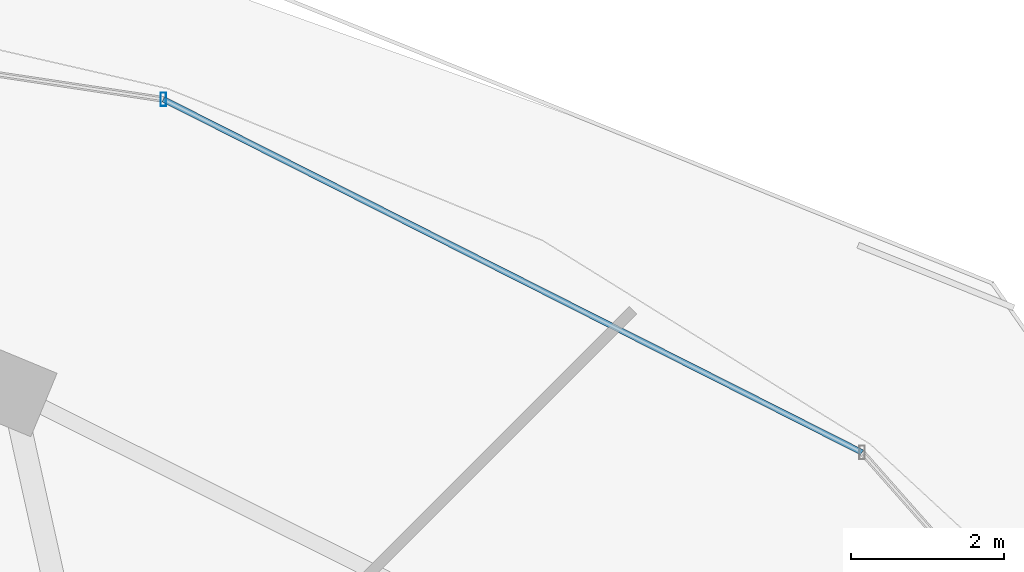
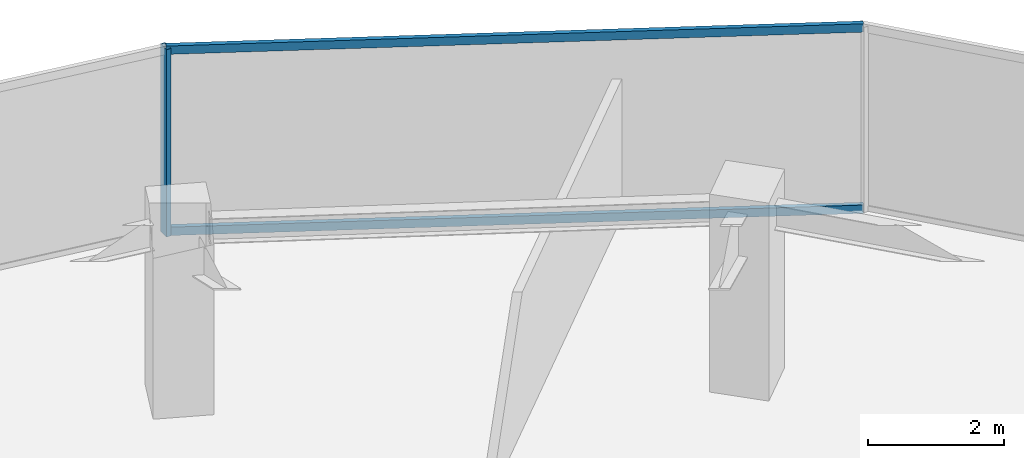
# One storey, part 21 of 33: 3 members, 1 element without a shape of its own.
"""IFC4 building model written with IfcOpenShell, lengths in metres."""

from ifc_helpers import new_model, si_unit, direction, frame, origin, origin_2d, place, context, subcontext, project, spatial, hollow_rectangle, extrude, material, material_profile, profile_set, type_object, element, aggregate, save


model = new_model("IFC4")

# Units and contexts
model_context = context("Model", 3, precision=1e-05, world=origin(), true_north=direction((0.0, 1.0)))
body_context = subcontext(model_context, "Body", "Model", "MODEL_VIEW")
ifc_project = project(units=[si_unit("LENGTHUNIT", "METRE"), si_unit("AREAUNIT", "SQUARE_METRE"), si_unit("VOLUMEUNIT", "CUBIC_METRE"), si_unit("PLANEANGLEUNIT", "RADIAN"), si_unit("MASSUNIT", "GRAM", prefix="KILO")], contexts=[model_context])

# Site, building, storey
site_placement = place(None, origin())
site = spatial("IfcSite", under=ifc_project, at=site_placement, CompositionType="ELEMENT")
building_placement = place(site_placement, origin())
building = spatial("IfcBuilding", under=site, at=building_placement, Name="Vorneva Point Tower", CompositionType="ELEMENT")
storey_placement = place(building_placement, frame((0.0, 0.0, 200.10009765625)))
storey = spatial("IfcBuildingStorey", under=building, at=storey_placement, Name="L54", CompositionType="ELEMENT", Elevation=200.10009765625)

# Curtain wall, members
ifc_material = material(Name="Pale anodised aluminium", Category="aluminium")
curtain_wall_type = type_object("IfcCurtainWallType", Name="CW-RES-SYS", PredefinedType="NOTDEFINED", material=ifc_material)
curtain_wall_placement = place(storey_placement, origin())
curtain_wall = element("IfcCurtainWall", 1, at=curtain_wall_placement, inside=storey, type_object=curtain_wall_type, Name="L54 Unitised Curtain Wall CW-L54-R01", PredefinedType="NOTDEFINED")
ifc_material_profile_1 = material_profile(ifc_material, hollow_rectangle(XDim=0.074951171875, YDim=0.179931640625, WallThickness=0.00390625, at=origin_2d()), Name="AL-MUL 180x75x4")
ifc_profile_set_1 = profile_set([ifc_material_profile_1], Name="Pale anodised aluminium")
member_type_1 = type_object("IfcMemberType", Name="CW-MUL-180", PredefinedType="MULLION", material=ifc_profile_set_1)
member_1_placement = place(storey_placement, frame((48.80322265625, 45.724853515625, -0.0400390625), z_axis=(0.0, 0.0, 1.0), x_axis=(1.0, 0.0, 0.0)))
member_1 = element("IfcMember", 2, at=member_1_placement, type_object=member_type_1, Name="CW-L54-R01 Mullion 03", PredefinedType="MULLION", context=body_context, shape_type="SweptSolid", body=[
    extrude(hollow_rectangle(XDim=0.074951171875, YDim=0.179931640625, WallThickness=0.00390625, at=origin_2d()), origin(), (0.0, 0.0, 1.0), 3.35986328125),
])
ifc_material_profile_2 = material_profile(ifc_material, hollow_rectangle(XDim=0.074951171875, YDim=0.14990234375, WallThickness=0.00390625, at=origin_2d()), Name="AL-TRN 150x75x4")
ifc_profile_set_2 = profile_set([ifc_material_profile_2], Name="Pale anodised aluminium")
member_type_2 = type_object("IfcMemberType", Name="CW-TRN-150", PredefinedType="USERDEFINED", material=ifc_profile_set_2)
member_2_placement = place(storey_placement, frame((57.961669921875, 41.0966796875, 0.02001953125), z_axis=(-0.892510927709, 0.451025768576, 0.0), x_axis=(-0.451025768576, -0.892510927709, 0.0)))
member_2 = element("IfcMember", 3, at=member_2_placement, type_object=member_type_2, Name="CW-L54-R01 Transom 02.1", ObjectType="TRANSOM", PredefinedType="USERDEFINED", context=body_context, shape_type="SweptSolid", body=[
    extrude(hollow_rectangle(XDim=0.074951171875, YDim=0.14990234375, WallThickness=0.00390625, at=origin_2d()), origin(), (0.0, 0.0, 1.0), 10.261474609375),
])
member_3_placement = place(storey_placement, frame((57.961669921875, 41.0966796875, 3.27001953125), z_axis=(-0.892510927709, 0.451025768576, 0.0), x_axis=(-0.451025768576, -0.892510927709, 0.0)))
member_3 = element("IfcMember", 4, at=member_3_placement, type_object=member_type_2, Name="CW-L54-R01 Transom 02.2", ObjectType="TRANSOM", PredefinedType="USERDEFINED", context=body_context, shape_type="SweptSolid", body=[
    extrude(hollow_rectangle(XDim=0.074951171875, YDim=0.14990234375, WallThickness=0.00390625, at=origin_2d()), origin(), (0.0, 0.0, 1.0), 10.261474609375),
])
aggregate(curtain_wall, [member_1, member_2, member_3])

save(model, "model.ifc")
